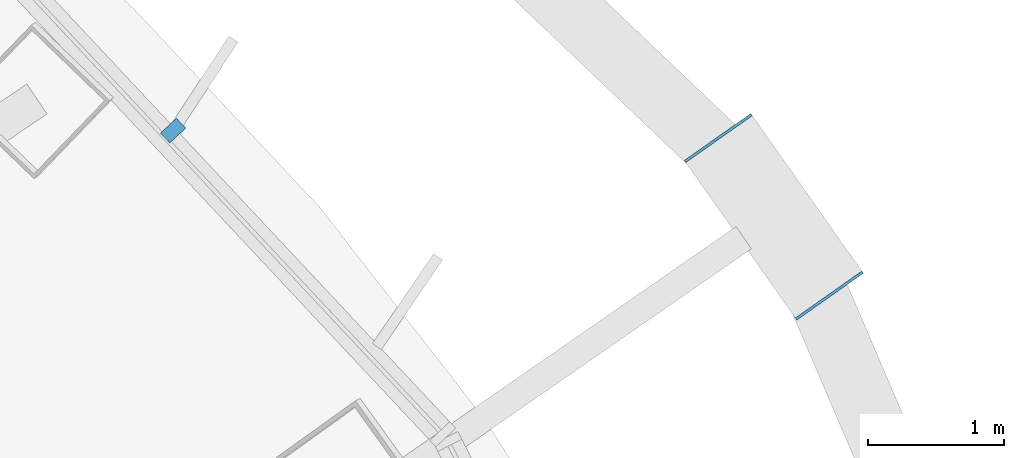
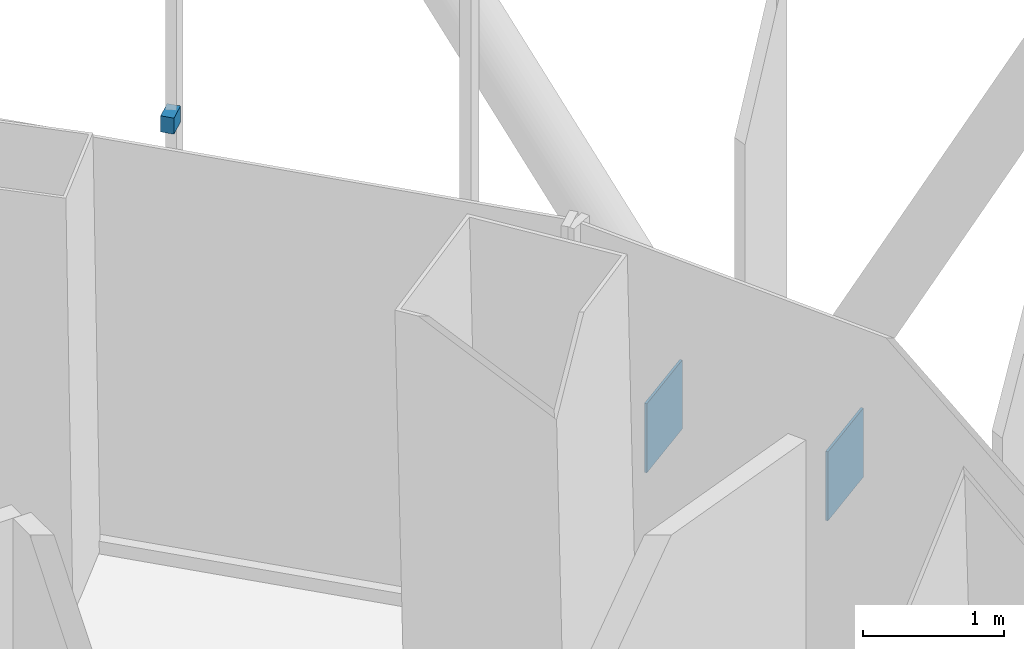
# One storey, part 16 of 20: 3 discrete accessories.
"""IFC4 building model written with IfcOpenShell, lengths in metres."""

from ifc_helpers import new_model, si_unit, direction, frame, origin, origin_2d, place, context, subcontext, project, spatial, rectangle, extrude, material, layer, layer_set, type_object, element, save


model = new_model("IFC4")

# Units and contexts
model_context = context("Model", 3, precision=1e-05, world=origin(), true_north=direction((0.0, 1.0)))
body_context = subcontext(model_context, "Body", "Model", "MODEL_VIEW")
ifc_project = project(units=[si_unit("LENGTHUNIT", "METRE"), si_unit("AREAUNIT", "SQUARE_METRE"), si_unit("VOLUMEUNIT", "CUBIC_METRE"), si_unit("PLANEANGLEUNIT", "RADIAN"), si_unit("MASSUNIT", "GRAM", prefix="KILO")], contexts=[model_context])

# Site, building, storey
site_placement = place(None, origin())
site = spatial("IfcSite", under=ifc_project, at=site_placement, CompositionType="ELEMENT")
building_placement = place(site_placement, origin())
building = spatial("IfcBuilding", under=site, at=building_placement, Name="Siaravel Broadcast Tower", CompositionType="ELEMENT")
storey_placement = place(building_placement, frame((0.0, 0.0, 108.199951171875)))
storey = spatial("IfcBuildingStorey", under=building, at=storey_placement, Name="L25", CompositionType="ELEMENT", Elevation=108.199951171875)

# Discrete accessories
ifc_material_1 = material(Name="Stainless steel 316", Category="steel")
discrete_accessory_type_1 = type_object("IfcDiscreteAccessoryType", Name="Stainless steel fin bracket", PredefinedType="USERDEFINED", material=ifc_material_1)
discrete_accessory_placement = place(storey_placement, frame((20.20654296875, 12.77734375, 3.68505859375), z_axis=(0.0, 0.0, 1.0), x_axis=(0.729804415, 0.683655992, 0.0)))
element("IfcDiscreteAccessory", 1, at=discrete_accessory_placement, inside=storey, type_object=discrete_accessory_type_1, Name="Fin bracket L25-07", ObjectType="BRACKET", PredefinedType="USERDEFINED", context=body_context, shape_type="SweptSolid", body=[
    extrude(rectangle(XDim=0.159912109375, YDim=0.10009765625, at=origin_2d()), origin(), (0.0, 0.0, 1.0), 0.139892578125),
])
ifc_material_2 = material(Name="Steel S355", Category="steel")
ifc_layer = layer(ifc_material_2, 0.02001953125)
ifc_layer_set = layer_set([ifc_layer], Name="Steel S355")
discrete_accessory_type_2 = type_object("IfcDiscreteAccessoryType", Name="Steel end plate 20 mm", PredefinedType="USERDEFINED", material=ifc_layer_set)
for number, where, z_axis, x_axis, name in (
    (2, (24.2236328125, 12.722412109375, -0.5), (0.0, 0.0, 1.0), (-0.576119939, 0.817365167, 0.0), "End plate R11 station 06A"),
    (3, (25.041748046875, 11.56201171875, -0.5), (0.0, 0.0, 1.0), (-0.576119939, 0.817365167, 0.0), "End plate R11 station 06B"),
):
    element("IfcDiscreteAccessory", number, at=place(storey_placement, frame(where, z_axis=z_axis, x_axis=x_axis)), inside=storey, type_object=discrete_accessory_type_2, Name=name, ObjectType="END PLATE", PredefinedType="USERDEFINED", context=body_context, shape_type="SweptSolid", body=[
        extrude(rectangle(XDim=0.02001953125, YDim=0.60009765625, at=origin_2d()), origin(), (0.0, 0.0, 1.0), 0.60009765625),
    ])

save(model, "model.ifc")
